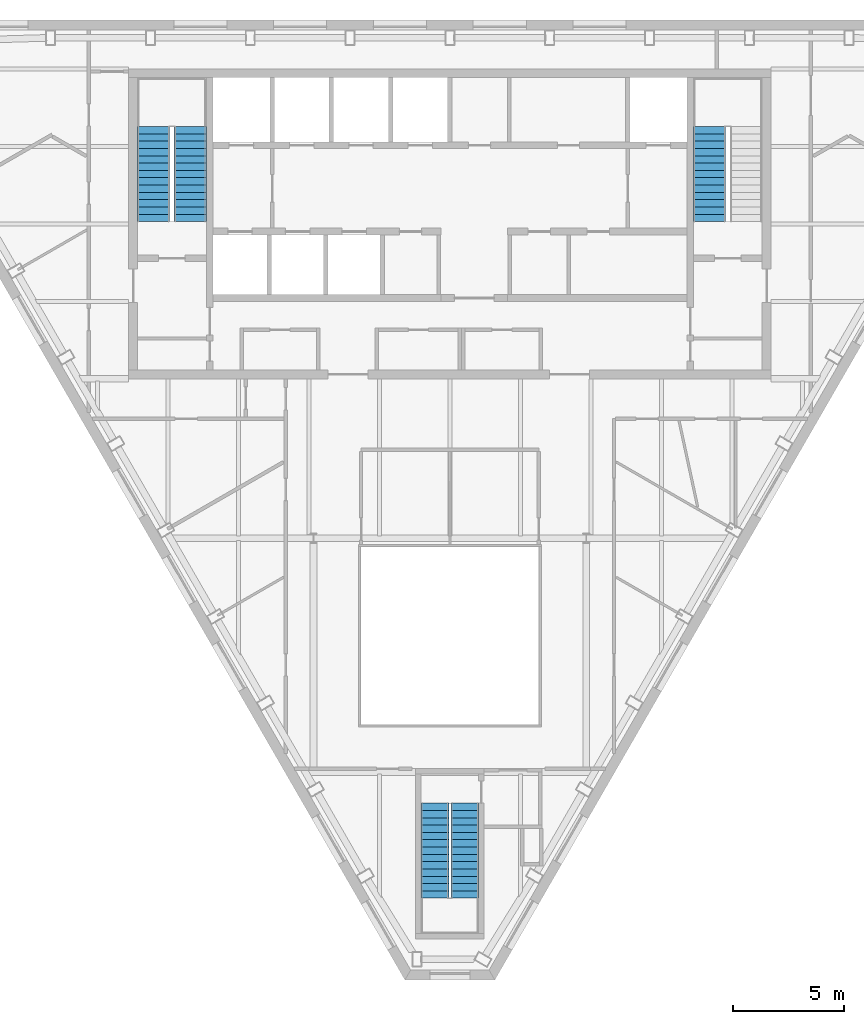
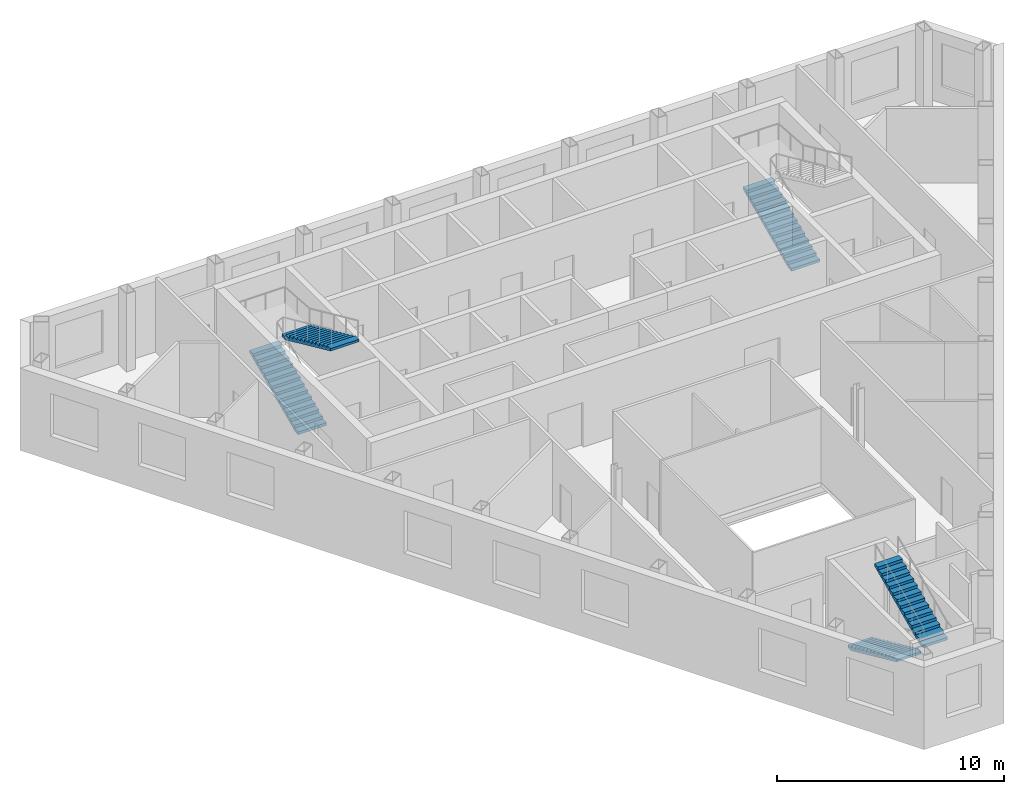
# One storey, part 8 of 10: 5 stair flights, 3 elements without a shape of their own.
"""IFC4 building model written with IfcOpenShell, lengths in metres."""

from ifc_helpers import new_model, si_unit, direction, frame, origin, place, context, subcontext, project, spatial, polygons, material, type_object, element, aggregate, save


model = new_model("IFC4")

# Units and contexts
model_context = context("Model", 3, precision=1e-05, world=origin(), true_north=direction((0.0, 1.0)))
body_context = subcontext(model_context, "Body", "Model", "MODEL_VIEW")
ifc_project = project(units=[si_unit("LENGTHUNIT", "METRE"), si_unit("AREAUNIT", "SQUARE_METRE"), si_unit("VOLUMEUNIT", "CUBIC_METRE"), si_unit("PLANEANGLEUNIT", "RADIAN"), si_unit("MASSUNIT", "GRAM", prefix="KILO")], contexts=[model_context])

# Site, building, storey
site_placement = place(None, origin())
site = spatial("IfcSite", under=ifc_project, at=site_placement, CompositionType="ELEMENT")
building_placement = place(site_placement, origin())
building = spatial("IfcBuilding", under=site, at=building_placement, Name="Njiva Tower", CompositionType="ELEMENT")
storey_placement = place(building_placement, frame((0.0, 0.0, 333.6)))
storey = spatial("IfcBuildingStorey", under=building, at=storey_placement, Name="L76", CompositionType="ELEMENT", Elevation=333.6)

# Stair, stair flights
ifc_material = material(Name="Concrete C40/50", Category="concrete")
stair_type_1 = type_object("IfcStairType", Name="ST1 Exit stair 1250", PredefinedType="HALF_TURN_STAIR", material=ifc_material)
stair_1_placement = place(storey_placement, origin())
stair_1 = element("IfcStair", 1, at=stair_1_placement, inside=storey, type_object=stair_type_1, Name="Stair C", PredefinedType="HALF_TURN_STAIR")
stair_flight_type_1 = type_object("IfcStairFlightType", Name="FL1 Stair flight 1250", PredefinedType="STRAIGHT", material=ifc_material)
stair_flight_1_placement = place(storey_placement, frame((-0.675, -15.16, 0.0), z_axis=(0.0, 0.0, 1.0), x_axis=(0.0, -1.0, 0.0)))
stair_flight_1 = element("IfcStairFlight", 2, at=stair_flight_1_placement, type_object=stair_flight_type_1, Name="ST-C flight 1", NumberOfRisers=14, NumberOfTreads=13, PredefinedType="STRAIGHT", RiserHeight=0.15, TreadLength=0.33, context=body_context, shape_type="Tessellation", body=[
    polygons([(0.0, 0.625, 0.0), (0.0, 0.3125, 0.0), (0.0, 0.0, 0.0), (0.0, -0.3125, 0.0), (0.0, -0.625, 0.0), (0.0, 0.625, 0.15), (0.0, 0.3125, 0.15), (0.0, 0.0, 0.15), (0.0, -0.3125, 0.15), (0.0, -0.625, 0.15), (0.33, 0.625, 0.15), (0.33, 0.3125, 0.15), (0.33, 0.0, 0.15), (0.33, -0.3125, 0.15), (0.33, -0.625, 0.15), (0.33, 0.625, 0.3), (0.33, 0.3125, 0.3), (0.33, 0.0, 0.3), (0.33, -0.3125, 0.3), (0.33, -0.625, 0.3), (0.66, 0.625, 0.3), (0.66, 0.3125, 0.3), (0.66, 0.0, 0.3), (0.66, -0.3125, 0.3), (0.66, -0.625, 0.3), (0.66, 0.625, 0.45), (0.66, 0.3125, 0.45), (0.66, 0.0, 0.45), (0.66, -0.3125, 0.45), (0.66, -0.625, 0.45), (0.99, 0.625, 0.45), (0.99, 0.3125, 0.45), (0.99, 0.0, 0.45), (0.99, -0.3125, 0.45), (0.99, -0.625, 0.45), (0.99, 0.625, 0.6), (0.99, 0.3125, 0.6), (0.99, 0.0, 0.6), (0.99, -0.3125, 0.6), (0.99, -0.625, 0.6), (1.32, 0.625, 0.6), (1.32, 0.3125, 0.6), (1.32, 0.0, 0.6), (1.32, -0.3125, 0.6), (1.32, -0.625, 0.6), (1.32, 0.625, 0.75), (1.32, 0.3125, 0.75), (1.32, 0.0, 0.75), (1.32, -0.3125, 0.75), (1.32, -0.625, 0.75), (1.65, 0.625, 0.75), (1.65, 0.3125, 0.75), (1.65, 0.0, 0.75), (1.65, -0.3125, 0.75), (1.65, -0.625, 0.75), (1.65, 0.625, 0.9), (1.65, 0.3125, 0.9), (1.65, 0.0, 0.9), (1.65, -0.3125, 0.9), (1.65, -0.625, 0.9), (1.98, 0.625, 0.9), (1.98, 0.3125, 0.9), (1.98, 0.0, 0.9), (1.98, -0.3125, 0.9), (1.98, -0.625, 0.9), (1.98, 0.625, 1.05), (1.98, 0.3125, 1.05), (1.98, 0.0, 1.05), (1.98, -0.3125, 1.05), (1.98, -0.625, 1.05), (2.31, 0.625, 1.05), (2.31, 0.3125, 1.05), (2.31, 0.0, 1.05), (2.31, -0.3125, 1.05), (2.31, -0.625, 1.05), (2.31, 0.625, 1.2), (2.31, 0.3125, 1.2), (2.31, 0.0, 1.2), (2.31, -0.3125, 1.2), (2.31, -0.625, 1.2), (2.64, 0.625, 1.2), (2.64, 0.3125, 1.2), (2.64, 0.0, 1.2), (2.64, -0.3125, 1.2), (2.64, -0.625, 1.2), (2.64, 0.625, 1.35), (2.64, 0.3125, 1.35), (2.64, 0.0, 1.35), (2.64, -0.3125, 1.35), (2.64, -0.625, 1.35), (2.97, 0.625, 1.35), (2.97, 0.3125, 1.35), (2.97, 0.0, 1.35), (2.97, -0.3125, 1.35), (2.97, -0.625, 1.35), (2.97, 0.625, 1.5), (2.97, 0.3125, 1.5), (2.97, 0.0, 1.5), (2.97, -0.3125, 1.5), (2.97, -0.625, 1.5), (3.3, 0.625, 1.5), (3.3, 0.3125, 1.5), (3.3, 0.0, 1.5), (3.3, -0.3125, 1.5), (3.3, -0.625, 1.5), (3.3, 0.625, 1.65), (3.3, 0.3125, 1.65), (3.3, 0.0, 1.65), (3.3, -0.3125, 1.65), (3.3, -0.625, 1.65), (3.63, 0.625, 1.65), (3.63, 0.3125, 1.65), (3.63, 0.0, 1.65), (3.63, -0.3125, 1.65), (3.63, -0.625, 1.65), (3.63, 0.625, 1.8), (3.63, 0.3125, 1.8), (3.63, 0.0, 1.8), (3.63, -0.3125, 1.8), (3.63, -0.625, 1.8), (3.96, 0.625, 1.8), (3.96, 0.3125, 1.8), (3.96, 0.0, 1.8), (3.96, -0.3125, 1.8), (3.96, -0.625, 1.8), (3.96, 0.625, 1.95), (3.96, 0.3125, 1.95), (3.96, 0.0, 1.95), (3.96, -0.3125, 1.95), (3.96, -0.625, 1.95), (4.29, 0.625, 1.95), (4.29, 0.3125, 1.95), (4.29, 0.0, 1.95), (4.29, -0.3125, 1.95), (4.29, -0.625, 1.95), (4.29, 0.625, 1.8182), (4.29, 0.3125, 1.8182), (4.29, 0.0, 1.8182), (4.29, -0.3125, 1.8182), (4.29, -0.625, 1.8182), (0.29, 0.625, 0.0), (0.29, 0.3125, 0.0), (0.29, 0.0, 0.0), (0.29, -0.3125, 0.0), (0.29, -0.625, 0.0)], [[[1, 6, 11, 16, 21, 26, 31, 36, 41, 46, 51, 56, 61, 66, 71, 76, 81, 86, 91, 96, 101, 106, 111, 116, 121, 126, 131, 136, 141]], [[145, 140, 135, 130, 125, 120, 115, 110, 105, 100, 95, 90, 85, 80, 75, 70, 65, 60, 55, 50, 45, 40, 35, 30, 25, 20, 15, 10, 5]], [[6, 1, 2, 7]], [[7, 2, 3, 8]], [[8, 3, 4, 9]], [[9, 4, 5, 10]], [[11, 6, 7, 12]], [[12, 7, 8, 13]], [[13, 8, 9, 14]], [[14, 9, 10, 15]], [[16, 11, 12, 17]], [[17, 12, 13, 18]], [[18, 13, 14, 19]], [[19, 14, 15, 20]], [[21, 16, 17, 22]], [[22, 17, 18, 23]], [[23, 18, 19, 24]], [[24, 19, 20, 25]], [[26, 21, 22, 27]], [[27, 22, 23, 28]], [[28, 23, 24, 29]], [[29, 24, 25, 30]], [[31, 26, 27, 32]], [[32, 27, 28, 33]], [[33, 28, 29, 34]], [[34, 29, 30, 35]], [[36, 31, 32, 37]], [[37, 32, 33, 38]], [[38, 33, 34, 39]], [[39, 34, 35, 40]], [[41, 36, 37, 42]], [[42, 37, 38, 43]], [[43, 38, 39, 44]], [[44, 39, 40, 45]], [[46, 41, 42, 47]], [[47, 42, 43, 48]], [[48, 43, 44, 49]], [[49, 44, 45, 50]], [[51, 46, 47, 52]], [[52, 47, 48, 53]], [[53, 48, 49, 54]], [[54, 49, 50, 55]], [[56, 51, 52, 57]], [[57, 52, 53, 58]], [[58, 53, 54, 59]], [[59, 54, 55, 60]], [[61, 56, 57, 62]], [[62, 57, 58, 63]], [[63, 58, 59, 64]], [[64, 59, 60, 65]], [[66, 61, 62, 67]], [[67, 62, 63, 68]], [[68, 63, 64, 69]], [[69, 64, 65, 70]], [[71, 66, 67, 72]], [[72, 67, 68, 73]], [[73, 68, 69, 74]], [[74, 69, 70, 75]], [[76, 71, 72, 77]], [[77, 72, 73, 78]], [[78, 73, 74, 79]], [[79, 74, 75, 80]], [[81, 76, 77, 82]], [[82, 77, 78, 83]], [[83, 78, 79, 84]], [[84, 79, 80, 85]], [[86, 81, 82, 87]], [[87, 82, 83, 88]], [[88, 83, 84, 89]], [[89, 84, 85, 90]], [[91, 86, 87, 92]], [[92, 87, 88, 93]], [[93, 88, 89, 94]], [[94, 89, 90, 95]], [[96, 91, 92, 97]], [[97, 92, 93, 98]], [[98, 93, 94, 99]], [[99, 94, 95, 100]], [[101, 96, 97, 102]], [[102, 97, 98, 103]], [[103, 98, 99, 104]], [[104, 99, 100, 105]], [[106, 101, 102, 107]], [[107, 102, 103, 108]], [[108, 103, 104, 109]], [[109, 104, 105, 110]], [[111, 106, 107, 112]], [[112, 107, 108, 113]], [[113, 108, 109, 114]], [[114, 109, 110, 115]], [[116, 111, 112, 117]], [[117, 112, 113, 118]], [[118, 113, 114, 119]], [[119, 114, 115, 120]], [[121, 116, 117, 122]], [[122, 117, 118, 123]], [[123, 118, 119, 124]], [[124, 119, 120, 125]], [[126, 121, 122, 127]], [[127, 122, 123, 128]], [[128, 123, 124, 129]], [[129, 124, 125, 130]], [[131, 126, 127, 132]], [[132, 127, 128, 133]], [[133, 128, 129, 134]], [[134, 129, 130, 135]], [[136, 131, 132, 137]], [[137, 132, 133, 138]], [[138, 133, 134, 139]], [[139, 134, 135, 140]], [[141, 136, 137, 142]], [[142, 137, 138, 143]], [[143, 138, 139, 144]], [[144, 139, 140, 145]], [[1, 141, 142, 2]], [[2, 142, 143, 3]], [[3, 143, 144, 4]], [[4, 144, 145, 5]]], closed=True),
])
stair_flight_2_placement = place(storey_placement, frame((0.675, -19.45, 2.1), z_axis=(0.0, 0.0, 1.0), x_axis=(0.0, 1.0, 0.0)))
stair_flight_2 = element("IfcStairFlight", 3, at=stair_flight_2_placement, type_object=stair_flight_type_1, Name="ST-C flight 2", NumberOfRisers=14, NumberOfTreads=13, PredefinedType="STRAIGHT", RiserHeight=0.15, TreadLength=0.33, context=body_context, shape_type="Tessellation", body=[
    polygons([(0.0, 0.625, 0.0), (0.0, 0.3125, 0.0), (0.0, 0.0, 0.0), (0.0, -0.3125, 0.0), (0.0, -0.625, 0.0), (0.0, 0.625, 0.15), (0.0, 0.3125, 0.15), (0.0, 0.0, 0.15), (0.0, -0.3125, 0.15), (0.0, -0.625, 0.15), (0.33, 0.625, 0.15), (0.33, 0.3125, 0.15), (0.33, 0.0, 0.15), (0.33, -0.3125, 0.15), (0.33, -0.625, 0.15), (0.33, 0.625, 0.3), (0.33, 0.3125, 0.3), (0.33, 0.0, 0.3), (0.33, -0.3125, 0.3), (0.33, -0.625, 0.3), (0.66, 0.625, 0.3), (0.66, 0.3125, 0.3), (0.66, 0.0, 0.3), (0.66, -0.3125, 0.3), (0.66, -0.625, 0.3), (0.66, 0.625, 0.45), (0.66, 0.3125, 0.45), (0.66, 0.0, 0.45), (0.66, -0.3125, 0.45), (0.66, -0.625, 0.45), (0.99, 0.625, 0.45), (0.99, 0.3125, 0.45), (0.99, 0.0, 0.45), (0.99, -0.3125, 0.45), (0.99, -0.625, 0.45), (0.99, 0.625, 0.6), (0.99, 0.3125, 0.6), (0.99, 0.0, 0.6), (0.99, -0.3125, 0.6), (0.99, -0.625, 0.6), (1.32, 0.625, 0.6), (1.32, 0.3125, 0.6), (1.32, 0.0, 0.6), (1.32, -0.3125, 0.6), (1.32, -0.625, 0.6), (1.32, 0.625, 0.75), (1.32, 0.3125, 0.75), (1.32, 0.0, 0.75), (1.32, -0.3125, 0.75), (1.32, -0.625, 0.75), (1.65, 0.625, 0.75), (1.65, 0.3125, 0.75), (1.65, 0.0, 0.75), (1.65, -0.3125, 0.75), (1.65, -0.625, 0.75), (1.65, 0.625, 0.9), (1.65, 0.3125, 0.9), (1.65, 0.0, 0.9), (1.65, -0.3125, 0.9), (1.65, -0.625, 0.9), (1.98, 0.625, 0.9), (1.98, 0.3125, 0.9), (1.98, 0.0, 0.9), (1.98, -0.3125, 0.9), (1.98, -0.625, 0.9), (1.98, 0.625, 1.05), (1.98, 0.3125, 1.05), (1.98, 0.0, 1.05), (1.98, -0.3125, 1.05), (1.98, -0.625, 1.05), (2.31, 0.625, 1.05), (2.31, 0.3125, 1.05), (2.31, 0.0, 1.05), (2.31, -0.3125, 1.05), (2.31, -0.625, 1.05), (2.31, 0.625, 1.2), (2.31, 0.3125, 1.2), (2.31, 0.0, 1.2), (2.31, -0.3125, 1.2), (2.31, -0.625, 1.2), (2.64, 0.625, 1.2), (2.64, 0.3125, 1.2), (2.64, 0.0, 1.2), (2.64, -0.3125, 1.2), (2.64, -0.625, 1.2), (2.64, 0.625, 1.35), (2.64, 0.3125, 1.35), (2.64, 0.0, 1.35), (2.64, -0.3125, 1.35), (2.64, -0.625, 1.35), (2.97, 0.625, 1.35), (2.97, 0.3125, 1.35), (2.97, 0.0, 1.35), (2.97, -0.3125, 1.35), (2.97, -0.625, 1.35), (2.97, 0.625, 1.5), (2.97, 0.3125, 1.5), (2.97, 0.0, 1.5), (2.97, -0.3125, 1.5), (2.97, -0.625, 1.5), (3.3, 0.625, 1.5), (3.3, 0.3125, 1.5), (3.3, 0.0, 1.5), (3.3, -0.3125, 1.5), (3.3, -0.625, 1.5), (3.3, 0.625, 1.65), (3.3, 0.3125, 1.65), (3.3, 0.0, 1.65), (3.3, -0.3125, 1.65), (3.3, -0.625, 1.65), (3.63, 0.625, 1.65), (3.63, 0.3125, 1.65), (3.63, 0.0, 1.65), (3.63, -0.3125, 1.65), (3.63, -0.625, 1.65), (3.63, 0.625, 1.8), (3.63, 0.3125, 1.8), (3.63, 0.0, 1.8), (3.63, -0.3125, 1.8), (3.63, -0.625, 1.8), (3.96, 0.625, 1.8), (3.96, 0.3125, 1.8), (3.96, 0.0, 1.8), (3.96, -0.3125, 1.8), (3.96, -0.625, 1.8), (3.96, 0.625, 1.95), (3.96, 0.3125, 1.95), (3.96, 0.0, 1.95), (3.96, -0.3125, 1.95), (3.96, -0.625, 1.95), (4.29, 0.625, 1.95), (4.29, 0.3125, 1.95), (4.29, 0.0, 1.95), (4.29, -0.3125, 1.95), (4.29, -0.625, 1.95), (4.29, 0.625, 1.8182), (4.29, 0.3125, 1.8182), (4.29, 0.0, 1.8182), (4.29, -0.3125, 1.8182), (4.29, -0.625, 1.8182), (0.29, 0.625, 0.0), (0.29, 0.3125, 0.0), (0.29, 0.0, 0.0), (0.29, -0.3125, 0.0), (0.29, -0.625, 0.0)], [[[1, 6, 11, 16, 21, 26, 31, 36, 41, 46, 51, 56, 61, 66, 71, 76, 81, 86, 91, 96, 101, 106, 111, 116, 121, 126, 131, 136, 141]], [[145, 140, 135, 130, 125, 120, 115, 110, 105, 100, 95, 90, 85, 80, 75, 70, 65, 60, 55, 50, 45, 40, 35, 30, 25, 20, 15, 10, 5]], [[6, 1, 2, 7]], [[7, 2, 3, 8]], [[8, 3, 4, 9]], [[9, 4, 5, 10]], [[11, 6, 7, 12]], [[12, 7, 8, 13]], [[13, 8, 9, 14]], [[14, 9, 10, 15]], [[16, 11, 12, 17]], [[17, 12, 13, 18]], [[18, 13, 14, 19]], [[19, 14, 15, 20]], [[21, 16, 17, 22]], [[22, 17, 18, 23]], [[23, 18, 19, 24]], [[24, 19, 20, 25]], [[26, 21, 22, 27]], [[27, 22, 23, 28]], [[28, 23, 24, 29]], [[29, 24, 25, 30]], [[31, 26, 27, 32]], [[32, 27, 28, 33]], [[33, 28, 29, 34]], [[34, 29, 30, 35]], [[36, 31, 32, 37]], [[37, 32, 33, 38]], [[38, 33, 34, 39]], [[39, 34, 35, 40]], [[41, 36, 37, 42]], [[42, 37, 38, 43]], [[43, 38, 39, 44]], [[44, 39, 40, 45]], [[46, 41, 42, 47]], [[47, 42, 43, 48]], [[48, 43, 44, 49]], [[49, 44, 45, 50]], [[51, 46, 47, 52]], [[52, 47, 48, 53]], [[53, 48, 49, 54]], [[54, 49, 50, 55]], [[56, 51, 52, 57]], [[57, 52, 53, 58]], [[58, 53, 54, 59]], [[59, 54, 55, 60]], [[61, 56, 57, 62]], [[62, 57, 58, 63]], [[63, 58, 59, 64]], [[64, 59, 60, 65]], [[66, 61, 62, 67]], [[67, 62, 63, 68]], [[68, 63, 64, 69]], [[69, 64, 65, 70]], [[71, 66, 67, 72]], [[72, 67, 68, 73]], [[73, 68, 69, 74]], [[74, 69, 70, 75]], [[76, 71, 72, 77]], [[77, 72, 73, 78]], [[78, 73, 74, 79]], [[79, 74, 75, 80]], [[81, 76, 77, 82]], [[82, 77, 78, 83]], [[83, 78, 79, 84]], [[84, 79, 80, 85]], [[86, 81, 82, 87]], [[87, 82, 83, 88]], [[88, 83, 84, 89]], [[89, 84, 85, 90]], [[91, 86, 87, 92]], [[92, 87, 88, 93]], [[93, 88, 89, 94]], [[94, 89, 90, 95]], [[96, 91, 92, 97]], [[97, 92, 93, 98]], [[98, 93, 94, 99]], [[99, 94, 95, 100]], [[101, 96, 97, 102]], [[102, 97, 98, 103]], [[103, 98, 99, 104]], [[104, 99, 100, 105]], [[106, 101, 102, 107]], [[107, 102, 103, 108]], [[108, 103, 104, 109]], [[109, 104, 105, 110]], [[111, 106, 107, 112]], [[112, 107, 108, 113]], [[113, 108, 109, 114]], [[114, 109, 110, 115]], [[116, 111, 112, 117]], [[117, 112, 113, 118]], [[118, 113, 114, 119]], [[119, 114, 115, 120]], [[121, 116, 117, 122]], [[122, 117, 118, 123]], [[123, 118, 119, 124]], [[124, 119, 120, 125]], [[126, 121, 122, 127]], [[127, 122, 123, 128]], [[128, 123, 124, 129]], [[129, 124, 125, 130]], [[131, 126, 127, 132]], [[132, 127, 128, 133]], [[133, 128, 129, 134]], [[134, 129, 130, 135]], [[136, 131, 132, 137]], [[137, 132, 133, 138]], [[138, 133, 134, 139]], [[139, 134, 135, 140]], [[141, 136, 137, 142]], [[142, 137, 138, 143]], [[143, 138, 139, 144]], [[144, 139, 140, 145]], [[1, 141, 142, 2]], [[2, 142, 143, 3]], [[3, 143, 144, 4]], [[4, 144, 145, 5]]], closed=True),
])
aggregate(stair_1, [stair_flight_1, stair_flight_2])

stair_type_2 = type_object("IfcStairType", Name="ST3 Exit stair 1450", PredefinedType="HALF_TURN_STAIR", material=ifc_material)
stair_2_placement = place(storey_placement, origin())
stair_2 = element("IfcStair", 4, at=stair_2_placement, inside=storey, type_object=stair_type_2, Name="Stair A", PredefinedType="HALF_TURN_STAIR")
stair_flight_type_2 = type_object("IfcStairFlightType", Name="FL3 Stair flight 1450", PredefinedType="STRAIGHT", material=ifc_material)
stair_flight_3_placement = place(storey_placement, frame((-13.375, 11.1, 0.0), z_axis=(0.0, 0.0, 1.0), x_axis=(0.0, 1.0, 0.0)))
stair_flight_3 = element("IfcStairFlight", 5, at=stair_flight_3_placement, type_object=stair_flight_type_2, Name="ST-A flight 1", NumberOfRisers=14, NumberOfTreads=13, PredefinedType="STRAIGHT", RiserHeight=0.15, TreadLength=0.33, context=body_context, shape_type="Tessellation", body=[
    polygons([(0.0, 0.725, 0.0), (0.0, 0.3625, 0.0), (0.0, 0.0, 0.0), (0.0, -0.3625, 0.0), (0.0, -0.725, 0.0), (0.0, 0.725, 0.15), (0.0, 0.3625, 0.15), (0.0, 0.0, 0.15), (0.0, -0.3625, 0.15), (0.0, -0.725, 0.15), (0.33, 0.725, 0.15), (0.33, 0.3625, 0.15), (0.33, 0.0, 0.15), (0.33, -0.3625, 0.15), (0.33, -0.725, 0.15), (0.33, 0.725, 0.3), (0.33, 0.3625, 0.3), (0.33, 0.0, 0.3), (0.33, -0.3625, 0.3), (0.33, -0.725, 0.3), (0.66, 0.725, 0.3), (0.66, 0.3625, 0.3), (0.66, 0.0, 0.3), (0.66, -0.3625, 0.3), (0.66, -0.725, 0.3), (0.66, 0.725, 0.45), (0.66, 0.3625, 0.45), (0.66, 0.0, 0.45), (0.66, -0.3625, 0.45), (0.66, -0.725, 0.45), (0.99, 0.725, 0.45), (0.99, 0.3625, 0.45), (0.99, 0.0, 0.45), (0.99, -0.3625, 0.45), (0.99, -0.725, 0.45), (0.99, 0.725, 0.6), (0.99, 0.3625, 0.6), (0.99, 0.0, 0.6), (0.99, -0.3625, 0.6), (0.99, -0.725, 0.6), (1.32, 0.725, 0.6), (1.32, 0.3625, 0.6), (1.32, 0.0, 0.6), (1.32, -0.3625, 0.6), (1.32, -0.725, 0.6), (1.32, 0.725, 0.75), (1.32, 0.3625, 0.75), (1.32, 0.0, 0.75), (1.32, -0.3625, 0.75), (1.32, -0.725, 0.75), (1.65, 0.725, 0.75), (1.65, 0.3625, 0.75), (1.65, 0.0, 0.75), (1.65, -0.3625, 0.75), (1.65, -0.725, 0.75), (1.65, 0.725, 0.9), (1.65, 0.3625, 0.9), (1.65, 0.0, 0.9), (1.65, -0.3625, 0.9), (1.65, -0.725, 0.9), (1.98, 0.725, 0.9), (1.98, 0.3625, 0.9), (1.98, 0.0, 0.9), (1.98, -0.3625, 0.9), (1.98, -0.725, 0.9), (1.98, 0.725, 1.05), (1.98, 0.3625, 1.05), (1.98, 0.0, 1.05), (1.98, -0.3625, 1.05), (1.98, -0.725, 1.05), (2.31, 0.725, 1.05), (2.31, 0.3625, 1.05), (2.31, 0.0, 1.05), (2.31, -0.3625, 1.05), (2.31, -0.725, 1.05), (2.31, 0.725, 1.2), (2.31, 0.3625, 1.2), (2.31, 0.0, 1.2), (2.31, -0.3625, 1.2), (2.31, -0.725, 1.2), (2.64, 0.725, 1.2), (2.64, 0.3625, 1.2), (2.64, 0.0, 1.2), (2.64, -0.3625, 1.2), (2.64, -0.725, 1.2), (2.64, 0.725, 1.35), (2.64, 0.3625, 1.35), (2.64, 0.0, 1.35), (2.64, -0.3625, 1.35), (2.64, -0.725, 1.35), (2.97, 0.725, 1.35), (2.97, 0.3625, 1.35), (2.97, 0.0, 1.35), (2.97, -0.3625, 1.35), (2.97, -0.725, 1.35), (2.97, 0.725, 1.5), (2.97, 0.3625, 1.5), (2.97, 0.0, 1.5), (2.97, -0.3625, 1.5), (2.97, -0.725, 1.5), (3.3, 0.725, 1.5), (3.3, 0.3625, 1.5), (3.3, 0.0, 1.5), (3.3, -0.3625, 1.5), (3.3, -0.725, 1.5), (3.3, 0.725, 1.65), (3.3, 0.3625, 1.65), (3.3, 0.0, 1.65), (3.3, -0.3625, 1.65), (3.3, -0.725, 1.65), (3.63, 0.725, 1.65), (3.63, 0.3625, 1.65), (3.63, 0.0, 1.65), (3.63, -0.3625, 1.65), (3.63, -0.725, 1.65), (3.63, 0.725, 1.8), (3.63, 0.3625, 1.8), (3.63, 0.0, 1.8), (3.63, -0.3625, 1.8), (3.63, -0.725, 1.8), (3.96, 0.725, 1.8), (3.96, 0.3625, 1.8), (3.96, 0.0, 1.8), (3.96, -0.3625, 1.8), (3.96, -0.725, 1.8), (3.96, 0.725, 1.95), (3.96, 0.3625, 1.95), (3.96, 0.0, 1.95), (3.96, -0.3625, 1.95), (3.96, -0.725, 1.95), (4.29, 0.725, 1.95), (4.29, 0.3625, 1.95), (4.29, 0.0, 1.95), (4.29, -0.3625, 1.95), (4.29, -0.725, 1.95), (4.29, 0.725, 1.8182), (4.29, 0.3625, 1.8182), (4.29, 0.0, 1.8182), (4.29, -0.3625, 1.8182), (4.29, -0.725, 1.8182), (0.29, 0.725, 0.0), (0.29, 0.3625, 0.0), (0.29, 0.0, 0.0), (0.29, -0.3625, 0.0), (0.29, -0.725, 0.0)], [[[1, 6, 11, 16, 21, 26, 31, 36, 41, 46, 51, 56, 61, 66, 71, 76, 81, 86, 91, 96, 101, 106, 111, 116, 121, 126, 131, 136, 141]], [[145, 140, 135, 130, 125, 120, 115, 110, 105, 100, 95, 90, 85, 80, 75, 70, 65, 60, 55, 50, 45, 40, 35, 30, 25, 20, 15, 10, 5]], [[6, 1, 2, 7]], [[7, 2, 3, 8]], [[8, 3, 4, 9]], [[9, 4, 5, 10]], [[11, 6, 7, 12]], [[12, 7, 8, 13]], [[13, 8, 9, 14]], [[14, 9, 10, 15]], [[16, 11, 12, 17]], [[17, 12, 13, 18]], [[18, 13, 14, 19]], [[19, 14, 15, 20]], [[21, 16, 17, 22]], [[22, 17, 18, 23]], [[23, 18, 19, 24]], [[24, 19, 20, 25]], [[26, 21, 22, 27]], [[27, 22, 23, 28]], [[28, 23, 24, 29]], [[29, 24, 25, 30]], [[31, 26, 27, 32]], [[32, 27, 28, 33]], [[33, 28, 29, 34]], [[34, 29, 30, 35]], [[36, 31, 32, 37]], [[37, 32, 33, 38]], [[38, 33, 34, 39]], [[39, 34, 35, 40]], [[41, 36, 37, 42]], [[42, 37, 38, 43]], [[43, 38, 39, 44]], [[44, 39, 40, 45]], [[46, 41, 42, 47]], [[47, 42, 43, 48]], [[48, 43, 44, 49]], [[49, 44, 45, 50]], [[51, 46, 47, 52]], [[52, 47, 48, 53]], [[53, 48, 49, 54]], [[54, 49, 50, 55]], [[56, 51, 52, 57]], [[57, 52, 53, 58]], [[58, 53, 54, 59]], [[59, 54, 55, 60]], [[61, 56, 57, 62]], [[62, 57, 58, 63]], [[63, 58, 59, 64]], [[64, 59, 60, 65]], [[66, 61, 62, 67]], [[67, 62, 63, 68]], [[68, 63, 64, 69]], [[69, 64, 65, 70]], [[71, 66, 67, 72]], [[72, 67, 68, 73]], [[73, 68, 69, 74]], [[74, 69, 70, 75]], [[76, 71, 72, 77]], [[77, 72, 73, 78]], [[78, 73, 74, 79]], [[79, 74, 75, 80]], [[81, 76, 77, 82]], [[82, 77, 78, 83]], [[83, 78, 79, 84]], [[84, 79, 80, 85]], [[86, 81, 82, 87]], [[87, 82, 83, 88]], [[88, 83, 84, 89]], [[89, 84, 85, 90]], [[91, 86, 87, 92]], [[92, 87, 88, 93]], [[93, 88, 89, 94]], [[94, 89, 90, 95]], [[96, 91, 92, 97]], [[97, 92, 93, 98]], [[98, 93, 94, 99]], [[99, 94, 95, 100]], [[101, 96, 97, 102]], [[102, 97, 98, 103]], [[103, 98, 99, 104]], [[104, 99, 100, 105]], [[106, 101, 102, 107]], [[107, 102, 103, 108]], [[108, 103, 104, 109]], [[109, 104, 105, 110]], [[111, 106, 107, 112]], [[112, 107, 108, 113]], [[113, 108, 109, 114]], [[114, 109, 110, 115]], [[116, 111, 112, 117]], [[117, 112, 113, 118]], [[118, 113, 114, 119]], [[119, 114, 115, 120]], [[121, 116, 117, 122]], [[122, 117, 118, 123]], [[123, 118, 119, 124]], [[124, 119, 120, 125]], [[126, 121, 122, 127]], [[127, 122, 123, 128]], [[128, 123, 124, 129]], [[129, 124, 125, 130]], [[131, 126, 127, 132]], [[132, 127, 128, 133]], [[133, 128, 129, 134]], [[134, 129, 130, 135]], [[136, 131, 132, 137]], [[137, 132, 133, 138]], [[138, 133, 134, 139]], [[139, 134, 135, 140]], [[141, 136, 137, 142]], [[142, 137, 138, 143]], [[143, 138, 139, 144]], [[144, 139, 140, 145]], [[1, 141, 142, 2]], [[2, 142, 143, 3]], [[3, 143, 144, 4]], [[4, 144, 145, 5]]], closed=True),
])
stair_flight_4_placement = place(storey_placement, frame((-11.725, 15.39, 2.1), z_axis=(0.0, 0.0, 1.0), x_axis=(0.0, -1.0, 0.0)))
stair_flight_4 = element("IfcStairFlight", 6, at=stair_flight_4_placement, type_object=stair_flight_type_2, Name="ST-A flight 2", NumberOfRisers=14, NumberOfTreads=13, PredefinedType="STRAIGHT", RiserHeight=0.15, TreadLength=0.33, context=body_context, shape_type="Tessellation", body=[
    polygons([(0.0, 0.725, 0.0), (0.0, 0.3625, 0.0), (0.0, 0.0, 0.0), (0.0, -0.3625, 0.0), (0.0, -0.725, 0.0), (0.0, 0.725, 0.15), (0.0, 0.3625, 0.15), (0.0, 0.0, 0.15), (0.0, -0.3625, 0.15), (0.0, -0.725, 0.15), (0.33, 0.725, 0.15), (0.33, 0.3625, 0.15), (0.33, 0.0, 0.15), (0.33, -0.3625, 0.15), (0.33, -0.725, 0.15), (0.33, 0.725, 0.3), (0.33, 0.3625, 0.3), (0.33, 0.0, 0.3), (0.33, -0.3625, 0.3), (0.33, -0.725, 0.3), (0.66, 0.725, 0.3), (0.66, 0.3625, 0.3), (0.66, 0.0, 0.3), (0.66, -0.3625, 0.3), (0.66, -0.725, 0.3), (0.66, 0.725, 0.45), (0.66, 0.3625, 0.45), (0.66, 0.0, 0.45), (0.66, -0.3625, 0.45), (0.66, -0.725, 0.45), (0.99, 0.725, 0.45), (0.99, 0.3625, 0.45), (0.99, 0.0, 0.45), (0.99, -0.3625, 0.45), (0.99, -0.725, 0.45), (0.99, 0.725, 0.6), (0.99, 0.3625, 0.6), (0.99, 0.0, 0.6), (0.99, -0.3625, 0.6), (0.99, -0.725, 0.6), (1.32, 0.725, 0.6), (1.32, 0.3625, 0.6), (1.32, 0.0, 0.6), (1.32, -0.3625, 0.6), (1.32, -0.725, 0.6), (1.32, 0.725, 0.75), (1.32, 0.3625, 0.75), (1.32, 0.0, 0.75), (1.32, -0.3625, 0.75), (1.32, -0.725, 0.75), (1.65, 0.725, 0.75), (1.65, 0.3625, 0.75), (1.65, 0.0, 0.75), (1.65, -0.3625, 0.75), (1.65, -0.725, 0.75), (1.65, 0.725, 0.9), (1.65, 0.3625, 0.9), (1.65, 0.0, 0.9), (1.65, -0.3625, 0.9), (1.65, -0.725, 0.9), (1.98, 0.725, 0.9), (1.98, 0.3625, 0.9), (1.98, 0.0, 0.9), (1.98, -0.3625, 0.9), (1.98, -0.725, 0.9), (1.98, 0.725, 1.05), (1.98, 0.3625, 1.05), (1.98, 0.0, 1.05), (1.98, -0.3625, 1.05), (1.98, -0.725, 1.05), (2.31, 0.725, 1.05), (2.31, 0.3625, 1.05), (2.31, 0.0, 1.05), (2.31, -0.3625, 1.05), (2.31, -0.725, 1.05), (2.31, 0.725, 1.2), (2.31, 0.3625, 1.2), (2.31, 0.0, 1.2), (2.31, -0.3625, 1.2), (2.31, -0.725, 1.2), (2.64, 0.725, 1.2), (2.64, 0.3625, 1.2), (2.64, 0.0, 1.2), (2.64, -0.3625, 1.2), (2.64, -0.725, 1.2), (2.64, 0.725, 1.35), (2.64, 0.3625, 1.35), (2.64, 0.0, 1.35), (2.64, -0.3625, 1.35), (2.64, -0.725, 1.35), (2.97, 0.725, 1.35), (2.97, 0.3625, 1.35), (2.97, 0.0, 1.35), (2.97, -0.3625, 1.35), (2.97, -0.725, 1.35), (2.97, 0.725, 1.5), (2.97, 0.3625, 1.5), (2.97, 0.0, 1.5), (2.97, -0.3625, 1.5), (2.97, -0.725, 1.5), (3.3, 0.725, 1.5), (3.3, 0.3625, 1.5), (3.3, 0.0, 1.5), (3.3, -0.3625, 1.5), (3.3, -0.725, 1.5), (3.3, 0.725, 1.65), (3.3, 0.3625, 1.65), (3.3, 0.0, 1.65), (3.3, -0.3625, 1.65), (3.3, -0.725, 1.65), (3.63, 0.725, 1.65), (3.63, 0.3625, 1.65), (3.63, 0.0, 1.65), (3.63, -0.3625, 1.65), (3.63, -0.725, 1.65), (3.63, 0.725, 1.8), (3.63, 0.3625, 1.8), (3.63, 0.0, 1.8), (3.63, -0.3625, 1.8), (3.63, -0.725, 1.8), (3.96, 0.725, 1.8), (3.96, 0.3625, 1.8), (3.96, 0.0, 1.8), (3.96, -0.3625, 1.8), (3.96, -0.725, 1.8), (3.96, 0.725, 1.95), (3.96, 0.3625, 1.95), (3.96, 0.0, 1.95), (3.96, -0.3625, 1.95), (3.96, -0.725, 1.95), (4.29, 0.725, 1.95), (4.29, 0.3625, 1.95), (4.29, 0.0, 1.95), (4.29, -0.3625, 1.95), (4.29, -0.725, 1.95), (4.29, 0.725, 1.8182), (4.29, 0.3625, 1.8182), (4.29, 0.0, 1.8182), (4.29, -0.3625, 1.8182), (4.29, -0.725, 1.8182), (0.29, 0.725, 0.0), (0.29, 0.3625, 0.0), (0.29, 0.0, 0.0), (0.29, -0.3625, 0.0), (0.29, -0.725, 0.0)], [[[1, 6, 11, 16, 21, 26, 31, 36, 41, 46, 51, 56, 61, 66, 71, 76, 81, 86, 91, 96, 101, 106, 111, 116, 121, 126, 131, 136, 141]], [[145, 140, 135, 130, 125, 120, 115, 110, 105, 100, 95, 90, 85, 80, 75, 70, 65, 60, 55, 50, 45, 40, 35, 30, 25, 20, 15, 10, 5]], [[6, 1, 2, 7]], [[7, 2, 3, 8]], [[8, 3, 4, 9]], [[9, 4, 5, 10]], [[11, 6, 7, 12]], [[12, 7, 8, 13]], [[13, 8, 9, 14]], [[14, 9, 10, 15]], [[16, 11, 12, 17]], [[17, 12, 13, 18]], [[18, 13, 14, 19]], [[19, 14, 15, 20]], [[21, 16, 17, 22]], [[22, 17, 18, 23]], [[23, 18, 19, 24]], [[24, 19, 20, 25]], [[26, 21, 22, 27]], [[27, 22, 23, 28]], [[28, 23, 24, 29]], [[29, 24, 25, 30]], [[31, 26, 27, 32]], [[32, 27, 28, 33]], [[33, 28, 29, 34]], [[34, 29, 30, 35]], [[36, 31, 32, 37]], [[37, 32, 33, 38]], [[38, 33, 34, 39]], [[39, 34, 35, 40]], [[41, 36, 37, 42]], [[42, 37, 38, 43]], [[43, 38, 39, 44]], [[44, 39, 40, 45]], [[46, 41, 42, 47]], [[47, 42, 43, 48]], [[48, 43, 44, 49]], [[49, 44, 45, 50]], [[51, 46, 47, 52]], [[52, 47, 48, 53]], [[53, 48, 49, 54]], [[54, 49, 50, 55]], [[56, 51, 52, 57]], [[57, 52, 53, 58]], [[58, 53, 54, 59]], [[59, 54, 55, 60]], [[61, 56, 57, 62]], [[62, 57, 58, 63]], [[63, 58, 59, 64]], [[64, 59, 60, 65]], [[66, 61, 62, 67]], [[67, 62, 63, 68]], [[68, 63, 64, 69]], [[69, 64, 65, 70]], [[71, 66, 67, 72]], [[72, 67, 68, 73]], [[73, 68, 69, 74]], [[74, 69, 70, 75]], [[76, 71, 72, 77]], [[77, 72, 73, 78]], [[78, 73, 74, 79]], [[79, 74, 75, 80]], [[81, 76, 77, 82]], [[82, 77, 78, 83]], [[83, 78, 79, 84]], [[84, 79, 80, 85]], [[86, 81, 82, 87]], [[87, 82, 83, 88]], [[88, 83, 84, 89]], [[89, 84, 85, 90]], [[91, 86, 87, 92]], [[92, 87, 88, 93]], [[93, 88, 89, 94]], [[94, 89, 90, 95]], [[96, 91, 92, 97]], [[97, 92, 93, 98]], [[98, 93, 94, 99]], [[99, 94, 95, 100]], [[101, 96, 97, 102]], [[102, 97, 98, 103]], [[103, 98, 99, 104]], [[104, 99, 100, 105]], [[106, 101, 102, 107]], [[107, 102, 103, 108]], [[108, 103, 104, 109]], [[109, 104, 105, 110]], [[111, 106, 107, 112]], [[112, 107, 108, 113]], [[113, 108, 109, 114]], [[114, 109, 110, 115]], [[116, 111, 112, 117]], [[117, 112, 113, 118]], [[118, 113, 114, 119]], [[119, 114, 115, 120]], [[121, 116, 117, 122]], [[122, 117, 118, 123]], [[123, 118, 119, 124]], [[124, 119, 120, 125]], [[126, 121, 122, 127]], [[127, 122, 123, 128]], [[128, 123, 124, 129]], [[129, 124, 125, 130]], [[131, 126, 127, 132]], [[132, 127, 128, 133]], [[133, 128, 129, 134]], [[134, 129, 130, 135]], [[136, 131, 132, 137]], [[137, 132, 133, 138]], [[138, 133, 134, 139]], [[139, 134, 135, 140]], [[141, 136, 137, 142]], [[142, 137, 138, 143]], [[143, 138, 139, 144]], [[144, 139, 140, 145]], [[1, 141, 142, 2]], [[2, 142, 143, 3]], [[3, 143, 144, 4]], [[4, 144, 145, 5]]], closed=True),
])
aggregate(stair_2, [stair_flight_3, stair_flight_4])

# Stair, stair flight
stair_3_placement = place(storey_placement, origin())
stair_3 = element("IfcStair", 7, at=stair_3_placement, inside=storey, type_object=stair_type_2, Name="Stair B", PredefinedType="HALF_TURN_STAIR")
stair_flight_5_placement = place(storey_placement, frame((11.725, 11.1, 0.0), z_axis=(0.0, 0.0, 1.0), x_axis=(0.0, 1.0, 0.0)))
stair_flight_5 = element("IfcStairFlight", 8, at=stair_flight_5_placement, type_object=stair_flight_type_2, Name="ST-B flight 1", NumberOfRisers=14, NumberOfTreads=13, PredefinedType="STRAIGHT", RiserHeight=0.15, TreadLength=0.33, context=body_context, shape_type="Tessellation", body=[
    polygons([(0.0, 0.725, 0.0), (0.0, 0.3625, 0.0), (0.0, 0.0, 0.0), (0.0, -0.3625, 0.0), (0.0, -0.725, 0.0), (0.0, 0.725, 0.15), (0.0, 0.3625, 0.15), (0.0, 0.0, 0.15), (0.0, -0.3625, 0.15), (0.0, -0.725, 0.15), (0.33, 0.725, 0.15), (0.33, 0.3625, 0.15), (0.33, 0.0, 0.15), (0.33, -0.3625, 0.15), (0.33, -0.725, 0.15), (0.33, 0.725, 0.3), (0.33, 0.3625, 0.3), (0.33, 0.0, 0.3), (0.33, -0.3625, 0.3), (0.33, -0.725, 0.3), (0.66, 0.725, 0.3), (0.66, 0.3625, 0.3), (0.66, 0.0, 0.3), (0.66, -0.3625, 0.3), (0.66, -0.725, 0.3), (0.66, 0.725, 0.45), (0.66, 0.3625, 0.45), (0.66, 0.0, 0.45), (0.66, -0.3625, 0.45), (0.66, -0.725, 0.45), (0.99, 0.725, 0.45), (0.99, 0.3625, 0.45), (0.99, 0.0, 0.45), (0.99, -0.3625, 0.45), (0.99, -0.725, 0.45), (0.99, 0.725, 0.6), (0.99, 0.3625, 0.6), (0.99, 0.0, 0.6), (0.99, -0.3625, 0.6), (0.99, -0.725, 0.6), (1.32, 0.725, 0.6), (1.32, 0.3625, 0.6), (1.32, 0.0, 0.6), (1.32, -0.3625, 0.6), (1.32, -0.725, 0.6), (1.32, 0.725, 0.75), (1.32, 0.3625, 0.75), (1.32, 0.0, 0.75), (1.32, -0.3625, 0.75), (1.32, -0.725, 0.75), (1.65, 0.725, 0.75), (1.65, 0.3625, 0.75), (1.65, 0.0, 0.75), (1.65, -0.3625, 0.75), (1.65, -0.725, 0.75), (1.65, 0.725, 0.9), (1.65, 0.3625, 0.9), (1.65, 0.0, 0.9), (1.65, -0.3625, 0.9), (1.65, -0.725, 0.9), (1.98, 0.725, 0.9), (1.98, 0.3625, 0.9), (1.98, 0.0, 0.9), (1.98, -0.3625, 0.9), (1.98, -0.725, 0.9), (1.98, 0.725, 1.05), (1.98, 0.3625, 1.05), (1.98, 0.0, 1.05), (1.98, -0.3625, 1.05), (1.98, -0.725, 1.05), (2.31, 0.725, 1.05), (2.31, 0.3625, 1.05), (2.31, 0.0, 1.05), (2.31, -0.3625, 1.05), (2.31, -0.725, 1.05), (2.31, 0.725, 1.2), (2.31, 0.3625, 1.2), (2.31, 0.0, 1.2), (2.31, -0.3625, 1.2), (2.31, -0.725, 1.2), (2.64, 0.725, 1.2), (2.64, 0.3625, 1.2), (2.64, 0.0, 1.2), (2.64, -0.3625, 1.2), (2.64, -0.725, 1.2), (2.64, 0.725, 1.35), (2.64, 0.3625, 1.35), (2.64, 0.0, 1.35), (2.64, -0.3625, 1.35), (2.64, -0.725, 1.35), (2.97, 0.725, 1.35), (2.97, 0.3625, 1.35), (2.97, 0.0, 1.35), (2.97, -0.3625, 1.35), (2.97, -0.725, 1.35), (2.97, 0.725, 1.5), (2.97, 0.3625, 1.5), (2.97, 0.0, 1.5), (2.97, -0.3625, 1.5), (2.97, -0.725, 1.5), (3.3, 0.725, 1.5), (3.3, 0.3625, 1.5), (3.3, 0.0, 1.5), (3.3, -0.3625, 1.5), (3.3, -0.725, 1.5), (3.3, 0.725, 1.65), (3.3, 0.3625, 1.65), (3.3, 0.0, 1.65), (3.3, -0.3625, 1.65), (3.3, -0.725, 1.65), (3.63, 0.725, 1.65), (3.63, 0.3625, 1.65), (3.63, 0.0, 1.65), (3.63, -0.3625, 1.65), (3.63, -0.725, 1.65), (3.63, 0.725, 1.8), (3.63, 0.3625, 1.8), (3.63, 0.0, 1.8), (3.63, -0.3625, 1.8), (3.63, -0.725, 1.8), (3.96, 0.725, 1.8), (3.96, 0.3625, 1.8), (3.96, 0.0, 1.8), (3.96, -0.3625, 1.8), (3.96, -0.725, 1.8), (3.96, 0.725, 1.95), (3.96, 0.3625, 1.95), (3.96, 0.0, 1.95), (3.96, -0.3625, 1.95), (3.96, -0.725, 1.95), (4.29, 0.725, 1.95), (4.29, 0.3625, 1.95), (4.29, 0.0, 1.95), (4.29, -0.3625, 1.95), (4.29, -0.725, 1.95), (4.29, 0.725, 1.8182), (4.29, 0.3625, 1.8182), (4.29, 0.0, 1.8182), (4.29, -0.3625, 1.8182), (4.29, -0.725, 1.8182), (0.29, 0.725, 0.0), (0.29, 0.3625, 0.0), (0.29, 0.0, 0.0), (0.29, -0.3625, 0.0), (0.29, -0.725, 0.0)], [[[1, 6, 11, 16, 21, 26, 31, 36, 41, 46, 51, 56, 61, 66, 71, 76, 81, 86, 91, 96, 101, 106, 111, 116, 121, 126, 131, 136, 141]], [[145, 140, 135, 130, 125, 120, 115, 110, 105, 100, 95, 90, 85, 80, 75, 70, 65, 60, 55, 50, 45, 40, 35, 30, 25, 20, 15, 10, 5]], [[6, 1, 2, 7]], [[7, 2, 3, 8]], [[8, 3, 4, 9]], [[9, 4, 5, 10]], [[11, 6, 7, 12]], [[12, 7, 8, 13]], [[13, 8, 9, 14]], [[14, 9, 10, 15]], [[16, 11, 12, 17]], [[17, 12, 13, 18]], [[18, 13, 14, 19]], [[19, 14, 15, 20]], [[21, 16, 17, 22]], [[22, 17, 18, 23]], [[23, 18, 19, 24]], [[24, 19, 20, 25]], [[26, 21, 22, 27]], [[27, 22, 23, 28]], [[28, 23, 24, 29]], [[29, 24, 25, 30]], [[31, 26, 27, 32]], [[32, 27, 28, 33]], [[33, 28, 29, 34]], [[34, 29, 30, 35]], [[36, 31, 32, 37]], [[37, 32, 33, 38]], [[38, 33, 34, 39]], [[39, 34, 35, 40]], [[41, 36, 37, 42]], [[42, 37, 38, 43]], [[43, 38, 39, 44]], [[44, 39, 40, 45]], [[46, 41, 42, 47]], [[47, 42, 43, 48]], [[48, 43, 44, 49]], [[49, 44, 45, 50]], [[51, 46, 47, 52]], [[52, 47, 48, 53]], [[53, 48, 49, 54]], [[54, 49, 50, 55]], [[56, 51, 52, 57]], [[57, 52, 53, 58]], [[58, 53, 54, 59]], [[59, 54, 55, 60]], [[61, 56, 57, 62]], [[62, 57, 58, 63]], [[63, 58, 59, 64]], [[64, 59, 60, 65]], [[66, 61, 62, 67]], [[67, 62, 63, 68]], [[68, 63, 64, 69]], [[69, 64, 65, 70]], [[71, 66, 67, 72]], [[72, 67, 68, 73]], [[73, 68, 69, 74]], [[74, 69, 70, 75]], [[76, 71, 72, 77]], [[77, 72, 73, 78]], [[78, 73, 74, 79]], [[79, 74, 75, 80]], [[81, 76, 77, 82]], [[82, 77, 78, 83]], [[83, 78, 79, 84]], [[84, 79, 80, 85]], [[86, 81, 82, 87]], [[87, 82, 83, 88]], [[88, 83, 84, 89]], [[89, 84, 85, 90]], [[91, 86, 87, 92]], [[92, 87, 88, 93]], [[93, 88, 89, 94]], [[94, 89, 90, 95]], [[96, 91, 92, 97]], [[97, 92, 93, 98]], [[98, 93, 94, 99]], [[99, 94, 95, 100]], [[101, 96, 97, 102]], [[102, 97, 98, 103]], [[103, 98, 99, 104]], [[104, 99, 100, 105]], [[106, 101, 102, 107]], [[107, 102, 103, 108]], [[108, 103, 104, 109]], [[109, 104, 105, 110]], [[111, 106, 107, 112]], [[112, 107, 108, 113]], [[113, 108, 109, 114]], [[114, 109, 110, 115]], [[116, 111, 112, 117]], [[117, 112, 113, 118]], [[118, 113, 114, 119]], [[119, 114, 115, 120]], [[121, 116, 117, 122]], [[122, 117, 118, 123]], [[123, 118, 119, 124]], [[124, 119, 120, 125]], [[126, 121, 122, 127]], [[127, 122, 123, 128]], [[128, 123, 124, 129]], [[129, 124, 125, 130]], [[131, 126, 127, 132]], [[132, 127, 128, 133]], [[133, 128, 129, 134]], [[134, 129, 130, 135]], [[136, 131, 132, 137]], [[137, 132, 133, 138]], [[138, 133, 134, 139]], [[139, 134, 135, 140]], [[141, 136, 137, 142]], [[142, 137, 138, 143]], [[143, 138, 139, 144]], [[144, 139, 140, 145]], [[1, 141, 142, 2]], [[2, 142, 143, 3]], [[3, 143, 144, 4]], [[4, 144, 145, 5]]], closed=True),
])
aggregate(stair_3, [stair_flight_5])

save(model, "model.ifc")
